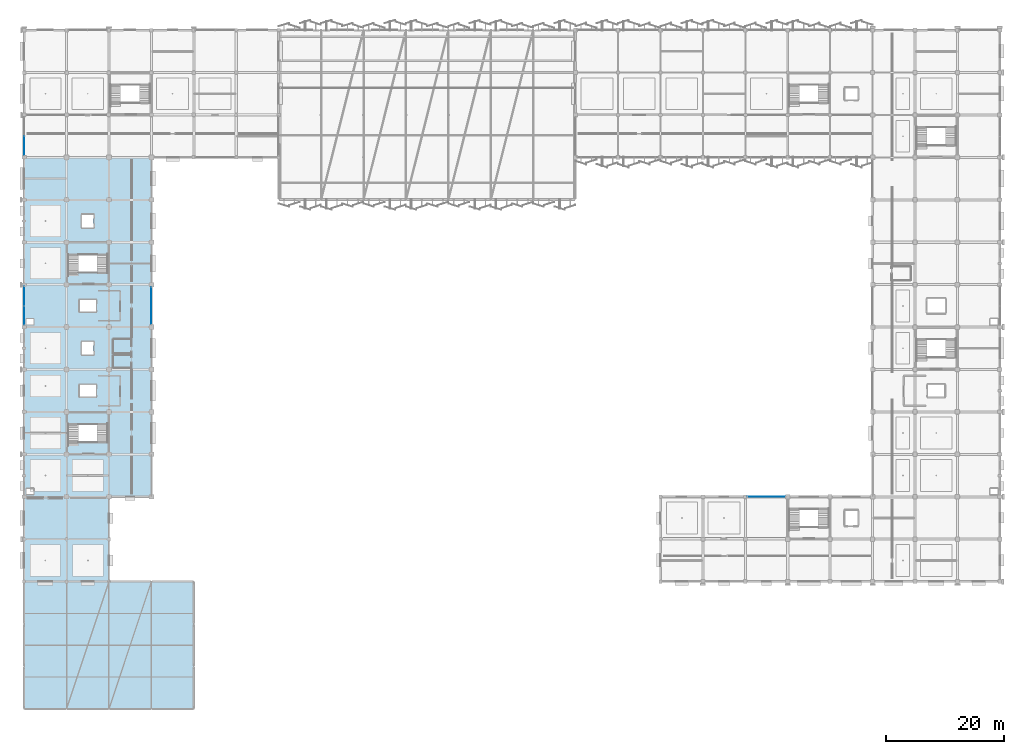
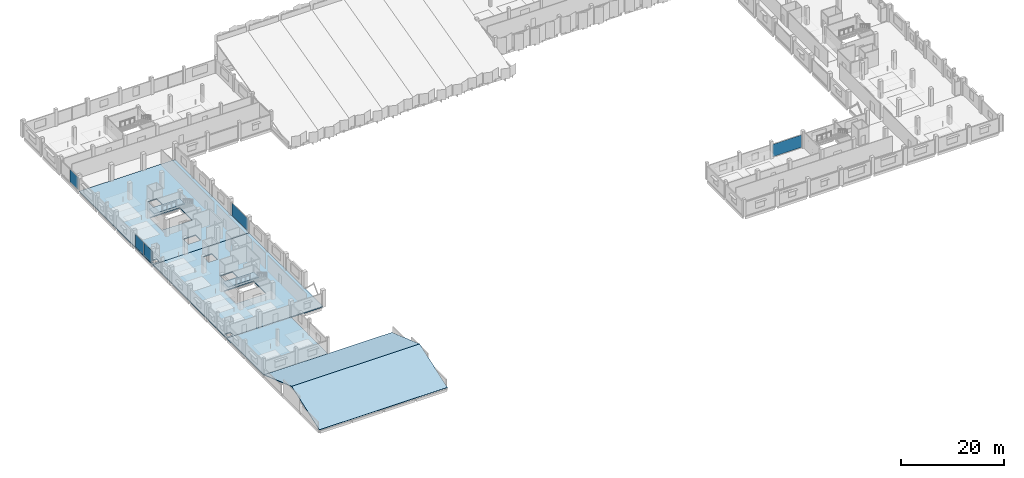
# One storey, part 64 of 108: 7 slabs, 5 plates, 6 elements without a shape of their own.
"""IFC4 building model written with IfcOpenShell, lengths in metres."""

from ifc_helpers import new_model, si_unit, direction, frame, origin, origin_2d, place, context, subcontext, project, spatial, polyline, rectangle, outline, extrude, material, layer, layer_set, type_object, element, aggregate, save


model = new_model("IFC4")

# Units and contexts
model_context = context("Model", 3, precision=1e-05, world=origin(), true_north=direction((0.0, 1.0)))
body_context = subcontext(model_context, "Body", "Model", "MODEL_VIEW")
ifc_project = project(units=[si_unit("LENGTHUNIT", "METRE"), si_unit("AREAUNIT", "SQUARE_METRE"), si_unit("VOLUMEUNIT", "CUBIC_METRE"), si_unit("PLANEANGLEUNIT", "RADIAN"), si_unit("MASSUNIT", "GRAM", prefix="KILO")], contexts=[model_context])

# Site, building, storey
site_placement = place(None, origin())
site = spatial("IfcSite", under=ifc_project, at=site_placement, CompositionType="ELEMENT")
building_placement = place(site_placement, origin())
building = spatial("IfcBuilding", under=site, at=building_placement, Name="Kangsadwip Square Police Headquarters", CompositionType="ELEMENT")
storey_placement = place(building_placement, frame((0.0, 0.0, 9.449951171875)))
storey = spatial("IfcBuildingStorey", under=building, at=storey_placement, Name="L02", CompositionType="ELEMENT", Elevation=9.449951171875)

# Curtain wall, plate
ifc_material_1 = material(Name="Thermally broken anodised aluminium AW-6063-T6", Category="aluminium")
ifc_layer_1 = layer(ifc_material_1, 0.159912109375)
ifc_layer_set_1 = layer_set([ifc_layer_1], Name="Thermally broken anodised aluminium AW-6063-T6")
curtain_wall_type_1 = type_object("IfcCurtainWallType", Name="CourtScreen6535x3200", PredefinedType="USERDEFINED", material=ifc_layer_set_1)
curtain_wall_1_placement = place(storey_placement, origin())
curtain_wall_1 = element("IfcCurtainWall", 1, at=curtain_wall_1_placement, inside=storey, type_object=curtain_wall_type_1, Name="Curtain Wall CW-L02-1227-0360", ObjectType="GLAZED_SCREEN", PredefinedType="USERDEFINED")
ifc_material_2 = material(Name="Double-glazed solar-control low-E safety glass", Category="glass")
ifc_layer_2 = layer(ifc_material_2, 0.02392578125)
ifc_layer_set_2 = layer_set([ifc_layer_2], Name="Double-glazed solar-control low-E safety glass")
plate_type_1 = type_object("IfcPlateType", Name="CwCourtVisionPanel24", PredefinedType="CURTAIN_PANEL", material=ifc_layer_set_2)
plate_1_placement = place(storey_placement, frame((125.987548828125, 36.0, 0.1201171875), z_axis=(0.0, 0.0, 1.0), x_axis=(1.0, 0.0, 0.0)))
plate_1 = element("IfcPlate", 2, at=plate_1_placement, type_object=plate_type_1, Name="CW-31 panel 1.1", PredefinedType="CURTAIN_PANEL", context=body_context, shape_type="SweptSolid", body=[
    extrude(rectangle(XDim=6.4150390625, YDim=0.02392578125, at=origin_2d()), origin(), (0.0, 0.0, 1.0), 2.9599609375),
])
aggregate(curtain_wall_1, [plate_1])

ifc_material_3 = material(Name="Thermally broken anodised aluminium AW-6063-T6", Category="aluminium")
ifc_layer_3 = layer(ifc_material_3, 0.159912109375)
ifc_layer_set_3 = layer_set([ifc_layer_3], Name="Thermally broken anodised aluminium AW-6063-T6")
curtain_wall_type_2 = type_object("IfcCurtainWallType", Name="CourtScreen6410x3200", PredefinedType="USERDEFINED", material=ifc_layer_set_3)
curtain_wall_2_placement = place(storey_placement, origin())
curtain_wall_2 = element("IfcCurtainWall", 3, at=curtain_wall_2_placement, inside=storey, type_object=curtain_wall_type_2, Name="Curtain Wall CW-L02-0216-0652", ObjectType="GLAZED_SCREEN", PredefinedType="USERDEFINED")
plate_2_placement = place(storey_placement, frame((21.60009765625, 68.39990234375, 0.1201171875), z_axis=(0.0, 0.0, 1.0), x_axis=(0.0, 1.0, 0.0)))
plate_2 = element("IfcPlate", 4, at=plate_2_placement, type_object=plate_type_1, Name="CW-30 panel 1.1", PredefinedType="CURTAIN_PANEL", context=body_context, shape_type="SweptSolid", body=[
    extrude(rectangle(XDim=6.2900390625, YDim=0.02392578125, at=origin_2d()), origin(), (0.0, 0.0, 1.0), 2.9599609375),
])
aggregate(curtain_wall_2, [plate_2])

# Curtain wall, plates
ifc_material_4 = material(Name="Thermally broken anodised aluminium AW-6063-T6", Category="aluminium")
ifc_layer_4 = layer(ifc_material_4, 0.159912109375)
ifc_layer_set_4 = layer_set([ifc_layer_4], Name="Thermally broken anodised aluminium AW-6063-T6")
curtain_wall_type_3 = type_object("IfcCurtainWallType", Name="UnitisedCw6610x3200", PredefinedType="NOTDEFINED", material=ifc_layer_set_4)
curtain_wall_3_placement = place(storey_placement, origin())
curtain_wall_3 = element("IfcCurtainWall", 5, at=curtain_wall_3_placement, inside=storey, type_object=curtain_wall_type_3, Name="Curtain Wall CW-L02-0000-0651", PredefinedType="NOTDEFINED")
ifc_material_5 = material(Name="Double-glazed solar-control low-E safety glass", Category="glass")
ifc_layer_5 = layer(ifc_material_5, 0.028076171875)
ifc_layer_set_5 = layer_set([ifc_layer_5], Name="Double-glazed solar-control low-E safety glass")
plate_type_2 = type_object("IfcPlateType", Name="CwSolarVisionPanel28", PredefinedType="CURTAIN_PANEL", material=ifc_layer_set_5)
plate_3_placement = place(storey_placement, frame((0.0, 66.763671875, 0.130126953125), z_axis=(0.0, 0.0, 1.0), x_axis=(0.0, 1.0, 0.0)))
plate_3 = element("IfcPlate", 6, at=plate_3_placement, type_object=plate_type_2, Name="CW-28 panel 1.1", PredefinedType="CURTAIN_PANEL", context=body_context, shape_type="SweptSolid", body=[
    extrude(rectangle(XDim=3.20751953125, YDim=0.028076171875, at=origin_2d()), origin(), (0.0, 0.0, 1.0), 2.93994140625),
])
plate_4_placement = place(storey_placement, frame((0.0, 70.0361328125, 0.130126953125), z_axis=(0.0, 0.0, 1.0), x_axis=(0.0, 1.0, 0.0)))
plate_4 = element("IfcPlate", 7, at=plate_4_placement, type_object=plate_type_2, Name="CW-28 panel 2.1", PredefinedType="CURTAIN_PANEL", context=body_context, shape_type="SweptSolid", body=[
    extrude(rectangle(XDim=3.20751953125, YDim=0.028076171875, at=origin_2d()), origin(), (0.0, 0.0, 1.0), 2.93994140625),
])
aggregate(curtain_wall_3, [plate_3, plate_4])

# Curtain wall, plate
curtain_wall_4_placement = place(storey_placement, origin())
curtain_wall_4 = element("IfcCurtainWall", 8, at=curtain_wall_4_placement, inside=storey, type_object=curtain_wall_type_3, Name="Curtain Wall CW-L02-0000-0939", PredefinedType="NOTDEFINED")
plate_5_placement = place(storey_placement, frame((0.0, 95.563720703125, 0.130126953125), z_axis=(0.0, 0.0, 1.0), x_axis=(0.0, 1.0, 0.0)))
plate_5 = element("IfcPlate", 9, at=plate_5_placement, type_object=plate_type_2, Name="CW-28 panel 1.1", PredefinedType="CURTAIN_PANEL", context=body_context, shape_type="SweptSolid", body=[
    extrude(rectangle(XDim=3.20751953125, YDim=0.028076171875, at=origin_2d()), origin(), (0.0, 0.0, 1.0), 2.93994140625),
])
aggregate(curtain_wall_4, [plate_5])

# Slabs
ifc_material_6 = material(Name="Concrete M35 (35 MPa)", Category="concrete")
ifc_layer_6 = layer(ifc_material_6, 0.239990234375)
ifc_layer_set_6 = layer_set([ifc_layer_6], Name="Concrete M35 (35 MPa)")
slab_type_1 = type_object("IfcSlabType", Name="MainFloorSlab240", PredefinedType="FLOOR", material=ifc_layer_set_6)
slab_1_placement = place(storey_placement, frame((0.0, 0.0, -0.239990234375)))
element("IfcSlab", 10, at=slab_1_placement, inside=storey, type_object=slab_type_1, Name="L02 Vol5S Slab SL-L02-033", PredefinedType="FLOOR", context=body_context, shape_type="SweptSolid", body=[
    extrude(outline(polyline([(0.0, 36.0), (0.0, 64.800048828125), (21.60009765625, 64.800048828125), (21.60009765625, 36.0), (0.0, 36.0)]), holes=[polyline([(1.60009765625, 37.39990234375), (0.39990234375, 37.39990234375), (0.39990234375, 36.39990234375), (1.60009765625, 36.39990234375), (1.60009765625, 37.39990234375)]), polyline([(14.179931640625, 45.280029296875), (14.179931640625, 50.179931640625), (7.419921875, 50.179931640625), (7.419921875, 45.280029296875), (14.179931640625, 45.280029296875)]), polyline([(12.199951171875, 55.0), (9.39990234375, 55.0), (9.39990234375, 53.0), (12.199951171875, 53.0), (12.199951171875, 55.0)]), polyline([(11.800048828125, 62.300048828125), (9.800048828125, 62.300048828125), (9.800048828125, 60.10009765625), (11.800048828125, 60.10009765625), (11.800048828125, 62.300048828125)])]), origin(), (0.0, 0.0, 1.0), 0.239990234375),
])
slab_2_placement = place(storey_placement, frame((0.0, 0.0, -0.239990234375)))
element("IfcSlab", 11, at=slab_2_placement, inside=storey, type_object=slab_type_1, Name="L02 Vol5N Slab SL-L02-034", PredefinedType="FLOOR", context=body_context, shape_type="SweptSolid", body=[
    extrude(outline(polyline([(0.0, 64.800048828125), (0.0, 93.60009765625), (21.60009765625, 93.60009765625), (21.60009765625, 64.800048828125), (0.0, 64.800048828125)]), holes=[polyline([(1.60009765625, 66.199951171875), (0.39990234375, 66.199951171875), (0.39990234375, 65.199951171875), (1.60009765625, 65.199951171875), (1.60009765625, 66.199951171875)]), polyline([(12.199951171875, 69.39990234375), (9.39990234375, 69.39990234375), (9.39990234375, 67.39990234375), (12.199951171875, 67.39990234375), (12.199951171875, 69.39990234375)]), polyline([(14.179931640625, 74.080078125), (14.179931640625, 78.97998046875), (7.419921875, 78.97998046875), (7.419921875, 74.080078125), (14.179931640625, 74.080078125)]), polyline([(11.800048828125, 81.699951171875), (11.800048828125, 83.89990234375), (9.800048828125, 83.89990234375), (9.800048828125, 81.699951171875), (11.800048828125, 81.699951171875)])]), origin(), (0.0, 0.0, 1.0), 0.239990234375),
])
slab_3_placement = place(storey_placement, frame((0.0, 0.0, -0.239990234375)))
element("IfcSlab", 12, at=slab_3_placement, inside=storey, type_object=slab_type_1, Name="Courtyard Link Bridge Deck SL-L02-035", PredefinedType="FLOOR", context=body_context, shape_type="SweptSolid", body=[
    extrude(outline(polyline([(0.0, 21.60009765625), (0.0, 36.0), (14.39990234375, 36.0), (14.39990234375, 21.60009765625), (0.0, 21.60009765625)])), origin(), (0.0, 0.0, 1.0), 0.239990234375),
])
ifc_material_7 = material(Name="Concrete M35 (35 MPa)", Category="concrete")
ifc_layer_7 = layer(ifc_material_7, 0.14990234375)
ifc_layer_set_7 = layer_set([ifc_layer_7], Name="Concrete M35 (35 MPa)")
slab_type_2 = type_object("IfcSlabType", Name="SawtoothRoofDeck150", PredefinedType="ROOF", material=ifc_layer_set_7)
for number, where, z_axis, x_axis, name in (
    (13, (0.0, 0.0, 0.0), (0.0, -0.331908671305, 0.943311525379), (1.0, 0.0, 0.0), "Pavilion Pitched Roof Deck S SL-L02-090"),
    (14, (0.0, 10.800048828125, 3.800048828125), (0.0, 0.331908671305, 0.943311525379), (1.0, 0.0, 0.0), "Pavilion Pitched Roof Deck N SL-L02-091"),
):
    element("IfcSlab", number, at=place(storey_placement, frame(where, z_axis=z_axis, x_axis=x_axis)), inside=storey, type_object=slab_type_2, Name=name, PredefinedType="ROOF", context=body_context, shape_type="SweptSolid", body=[
        extrude(outline(polyline([(0.0, 0.0), (28.800048828125, 0.0), (28.800048828125, 11.449079691661613), (0.0, 11.449079691661613), (0.0, 0.0)])), origin(), (0.0, 0.0, -1.0), 0.14990234375),
    ])

# Stair, slab
ifc_material_8 = material(Name="Concrete M35 (35 MPa)", Category="concrete")
stair_type = type_object("IfcStairType", Name="Stair2FlightTypW1850", PredefinedType="HALF_TURN_STAIR", material=ifc_material_8)
stair_1_placement = place(storey_placement, origin())
stair_1 = element("IfcStair", 15, at=stair_1_placement, inside=storey, type_object=stair_type, Name="Protected Stair ST-01 L02", PredefinedType="HALF_TURN_STAIR")
ifc_material_9 = material(Name="Concrete M35 (35 MPa)", Category="concrete")
ifc_layer_8 = layer(ifc_material_9, 0.199951171875)
ifc_layer_set_8 = layer_set([ifc_layer_8], Name="Concrete M35 (35 MPa)")
slab_type_3 = type_object("IfcSlabType", Name="StairLandingSlab200", PredefinedType="LANDING", material=ifc_layer_set_8)
slab_4_placement = place(storey_placement, frame((0.0, 0.0, 1.906005859375)))
slab_4 = element("IfcSlab", 16, at=slab_4_placement, type_object=slab_type_3, Name="ST-01 landing 1", PredefinedType="LANDING", context=body_context, shape_type="SweptSolid", body=[
    extrude(outline(polyline([(7.3701171875, 48.280029296875), (14.22998046875, 48.280029296875), (14.22998046875, 50.22998046875), (7.3701171875, 50.22998046875), (7.3701171875, 48.280029296875)])), origin(), (0.0, 0.0, 1.0), 0.199951171875),
])
aggregate(stair_1, [slab_4])

stair_2_placement = place(storey_placement, origin())
stair_2 = element("IfcStair", 17, at=stair_2_placement, inside=storey, type_object=stair_type, Name="Protected Stair ST-02 L02", PredefinedType="HALF_TURN_STAIR")
slab_5_placement = place(storey_placement, frame((0.0, 0.0, 1.906005859375)))
slab_5 = element("IfcSlab", 18, at=slab_5_placement, type_object=slab_type_3, Name="ST-02 landing 1", PredefinedType="LANDING", context=body_context, shape_type="SweptSolid", body=[
    extrude(outline(polyline([(7.3701171875, 77.080078125), (14.22998046875, 77.080078125), (14.22998046875, 79.030029296875), (7.3701171875, 79.030029296875), (7.3701171875, 77.080078125)])), origin(), (0.0, 0.0, 1.0), 0.199951171875),
])
aggregate(stair_2, [slab_5])

save(model, "model.ifc")
